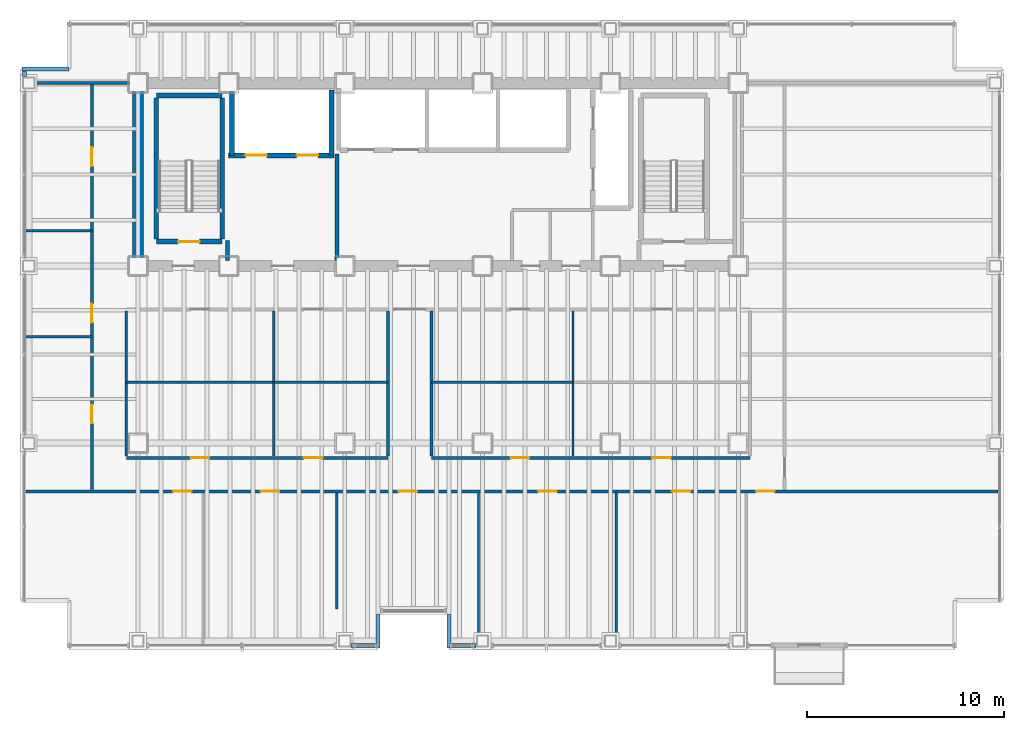
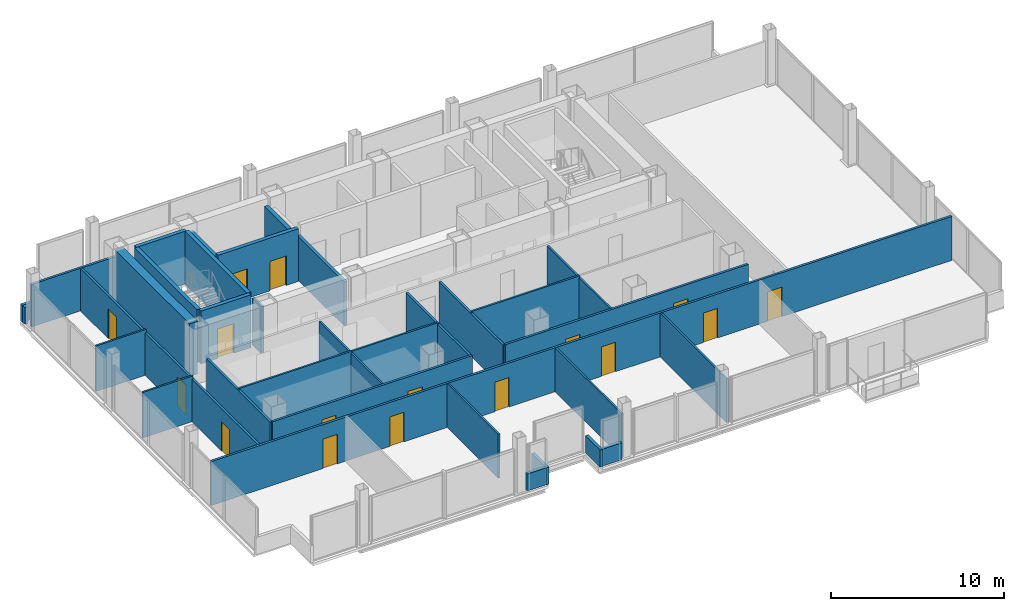
# One storey, part 18 of 22: 34 walls, 16 doors, 16 openings.
"""IFC4 building model written with IfcOpenShell, lengths in metres."""

from ifc_helpers import new_model, si_unit, direction, frame, frame_2d, origin, place, context, subcontext, project, spatial, rectangle, extrude, material, layer, layer_set, type_object, element, fill, save


model = new_model("IFC4")

# Units and contexts
model_context = context("Model", 3, precision=1e-05, world=origin(), true_north=direction((0.0, 1.0)))
body_context = subcontext(model_context, "Body", "Model", "MODEL_VIEW")
ifc_project = project(units=[si_unit("LENGTHUNIT", "METRE"), si_unit("AREAUNIT", "SQUARE_METRE"), si_unit("VOLUMEUNIT", "CUBIC_METRE"), si_unit("PLANEANGLEUNIT", "RADIAN"), si_unit("MASSUNIT", "GRAM", prefix="KILO")], contexts=[model_context])

# Site, building, storey
site_placement = place(None, origin())
site = spatial("IfcSite", under=ifc_project, at=site_placement, CompositionType="ELEMENT")
building_placement = place(site_placement, origin())
building = spatial("IfcBuilding", under=site, at=building_placement, Name="Noeulbin Bourse Tower", CompositionType="ELEMENT")
storey_placement = place(building_placement, frame((0.0, 0.0, 85.0)))
storey = spatial("IfcBuildingStorey", under=building, at=storey_placement, Name="L21", CompositionType="ELEMENT", Elevation=85.0)

# Walls
ifc_material_1 = material(Name="Concrete C60/75", Category="concrete")
ifc_layer_1 = layer(ifc_material_1, 0.550048828125)
ifc_layer_set_1 = layer_set([ifc_layer_1], Name="Concrete C60/75")
wall_type_1 = type_object("IfcWallType", Name="WAL-CORE-550", PredefinedType="SHEAR", material=ifc_layer_set_1)
wall_1_placement = place(storey_placement, frame((13.5, 29.35009765625, 0.0), z_axis=(0.0, 0.0, 1.0), x_axis=(0.0, 1.0, 0.0)))
element("IfcWall", 1, at=wall_1_placement, inside=storey, type_object=wall_type_1, Name="Rear Core West Shear Wall L21", PredefinedType="SHEAR", context=body_context, shape_type="SweptSolid", body=[
    extrude(rectangle(XDim=8.599853515625, YDim=0.550048828125, at=frame_2d((4.2998046875, 0.0))), origin(), (0.0, 0.0, 1.0), 3.719970703125),
])
ifc_material_2 = material(Name="Concrete C40/50", Category="concrete")
ifc_layer_2 = layer(ifc_material_2, 0.199951171875)
ifc_layer_set_2 = layer_set([ifc_layer_2], Name="Concrete C40/50")
wall_type_2 = type_object("IfcWallType", Name="WAL-FIRE-200", PredefinedType="STANDARD", material=ifc_layer_set_2)
wall_2_placement = place(storey_placement, frame((18.050048828125, 29.284912109375, 0.0), z_axis=(0.0, 0.0, 1.0), x_axis=(0.0, 1.0, 0.0)))
element("IfcWall", 2, at=wall_2_placement, inside=storey, type_object=wall_type_2, Name="Interior Partition Wall L21-15", PredefinedType="STANDARD", context=body_context, shape_type="SweptSolid", body=[
    extrude(rectangle(XDim=1.01513671875, YDim=0.199951171875, at=frame_2d((0.507568359375, 0.0))), origin(), (0.0, 0.0, 1.0), 3.300048828125),
])
wall_3_placement = place(storey_placement, frame((23.60009765625, 29.284912109375, 0.0), z_axis=(0.0, 0.0, 1.0), x_axis=(0.0, 1.0, 0.0)))
element("IfcWall", 3, at=wall_3_placement, inside=storey, type_object=wall_type_2, Name="Interior Partition Wall L21-17", PredefinedType="STANDARD", context=body_context, shape_type="SweptSolid", body=[
    extrude(rectangle(XDim=5.4150390625, YDim=0.199951171875, at=frame_2d((2.70751953125, 0.0))), origin(), (0.0, 0.0, 1.0), 3.10009765625),
])
ifc_layer_3 = layer(ifc_material_2, 0.199951171875)
ifc_layer_set_3 = layer_set([ifc_layer_3], Name="Concrete C40/50")
wall_type_3 = type_object("IfcWallType", Name="WAL-PAR-200", PredefinedType="PARAPET", material=ifc_layer_set_3)
wall_4_placement = place(storey_placement, frame((7.719970703125, 38.6201171875, 0.0), z_axis=(0.0, 0.0, 1.0), x_axis=(0.0, 1.0, 0.0)))
element("IfcWall", 4, at=wall_4_placement, inside=storey, type_object=wall_type_3, Name="Perimeter Pier Spandrel Parapet L21-W1", PredefinedType="PARAPET", context=body_context, shape_type="SweptSolid", body=[
    extrude(rectangle(XDim=0.27978515625, YDim=0.199951171875, at=frame_2d((0.139892578125, 0.0))), origin(), (0.0, 0.0, 1.0), 1.199951171875),
])
for number, where, z_axis, x_axis, name in (
    (5, (24.320068359375, 9.719970703125, 0.0), (0.0, 0.0, 1.0), (1.0, 0.0, 0.0), "Perimeter Pier Spandrel Parapet L21-S3"),
    (6, (29.35009765625, 9.719970703125, 0.0), (0.0, 0.0, 1.0), (1.0, 0.0, 0.0), "Perimeter Pier Spandrel Parapet L21-S4"),
):
    element("IfcWall", number, at=place(storey_placement, frame(where, z_axis=z_axis, x_axis=x_axis)), inside=storey, type_object=wall_type_3, Name=name, PredefinedType="PARAPET", context=body_context, shape_type="SweptSolid", body=[
        extrude(rectangle(XDim=1.329833984375, YDim=0.199951171875, at=frame_2d((0.6650390625, 0.0))), origin(), (0.0, 0.0, 1.0), 1.199951171875),
    ])
wall_5_placement = place(storey_placement, frame((7.60009765625, 39.0, 0.0), z_axis=(0.0, 0.0, 1.0), x_axis=(1.0, 0.0, 0.0)))
element("IfcWall", 7, at=wall_5_placement, inside=storey, type_object=wall_type_3, Name="Corner Notch Parapet L21-NW1", PredefinedType="PARAPET", context=body_context, shape_type="SweptSolid", body=[
    extrude(rectangle(XDim=2.39990234375, YDim=0.199951171875, at=frame_2d((1.199951171875, 0.0))), origin(), (0.0, 0.0, 1.0), 1.199951171875),
])
for number, where, z_axis, x_axis, name in (
    (8, (25.699951171875, 9.60009765625, 0.0), (0.0, 0.0, 1.0), (0.0, 1.0, 0.0), "Sky-Garden Recess Parapet L21-W"),
    (9, (29.300048828125, 11.300048828125, 0.0), (0.0, 0.0, 1.0), (0.0, -1.0, 0.0), "Sky-Garden Recess Parapet L21-E"),
):
    element("IfcWall", number, at=place(storey_placement, frame(where, z_axis=z_axis, x_axis=x_axis)), inside=storey, type_object=wall_type_3, Name=name, PredefinedType="PARAPET", context=body_context, shape_type="SweptSolid", body=[
        extrude(rectangle(XDim=1.699951171875, YDim=0.199951171875, at=frame_2d((0.85009765625, 0.0))), origin(), (0.0, 0.0, 1.0), 1.199951171875),
    ])
ifc_material_3 = material(Name="Steel Stud Gypsum Partition", Category="steel")
ifc_layer_4 = layer(ifc_material_3, 0.1201171875)
ifc_layer_set_4 = layer_set([ifc_layer_4], Name="Steel Stud Gypsum Partition")
wall_type_4 = type_object("IfcWallType", Name="WAL-PRT-120", PredefinedType="PARTITIONING", material=ifc_layer_set_4)
wall_6_placement = place(storey_placement, frame((12.89990234375, 23.10009765625, 0.0), z_axis=(0.0, 0.0, 1.0), x_axis=(1.0, 0.0, 0.0)))
element("IfcWall", 10, at=wall_6_placement, inside=storey, type_object=wall_type_4, Name="Interior Partition Wall L21-09", PredefinedType="PARTITIONING", context=body_context, shape_type="SweptSolid", body=[
    extrude(rectangle(XDim=7.5, YDim=0.1201171875, at=frame_2d((3.75, 0.0))), origin(), (0.0, 0.0, 1.0), 3.10009765625),
])
wall_7_placement = place(storey_placement, frame((20.39990234375, 23.10009765625, 0.0), z_axis=(0.0, 0.0, 1.0), x_axis=(1.0, 0.0, 0.0)))
element("IfcWall", 11, at=wall_7_placement, inside=storey, type_object=wall_type_4, Name="Interior Partition Wall L21-10", PredefinedType="PARTITIONING", context=body_context, shape_type="SweptSolid", body=[
    extrude(rectangle(XDim=5.800048828125, YDim=0.1201171875, at=frame_2d((2.89990234375, 0.0))), origin(), (0.0, 0.0, 1.0), 3.10009765625),
])
wall_8_placement = place(storey_placement, frame((28.39990234375, 23.10009765625, 0.0), z_axis=(0.0, 0.0, 1.0), x_axis=(1.0, 0.0, 0.0)))
element("IfcWall", 12, at=wall_8_placement, inside=storey, type_object=wall_type_4, Name="Interior Partition Wall L21-11", PredefinedType="PARTITIONING", context=body_context, shape_type="SweptSolid", body=[
    extrude(rectangle(XDim=7.2001953125, YDim=0.1201171875, at=frame_2d((3.60009765625, 0.0))), origin(), (0.0, 0.0, 1.0), 3.10009765625),
])
for number, where, z_axis, x_axis, name in (
    (13, (7.81005859375, 25.39990234375, 0.0), (0.0, 0.0, 1.0), (1.0, 0.0, 0.0), "Interior Partition Wall L21-13"),
    (14, (7.81005859375, 30.800048828125, 0.0), (0.0, 0.0, 1.0), (1.0, 0.0, 0.0), "Interior Partition Wall L21-14"),
):
    element("IfcWall", number, at=place(storey_placement, frame(where, z_axis=z_axis, x_axis=x_axis)), inside=storey, type_object=wall_type_4, Name=name, PredefinedType="PARTITIONING", context=body_context, shape_type="SweptSolid", body=[
        extrude(rectangle(XDim=3.33984375, YDim=0.1201171875, at=frame_2d((1.669921875, 0.0))), origin(), (0.0, 0.0, 1.0), 3.2119140625),
    ])
wall_9_placement = place(storey_placement, frame((23.60009765625, 11.570068359375, 0.0), z_axis=(0.0, 0.0, 1.0), x_axis=(0.0, 1.0, 0.0)))
element("IfcWall", 15, at=wall_9_placement, inside=storey, type_object=wall_type_4, Name="Interior Partition Wall L21-28", PredefinedType="PARTITIONING", context=body_context, shape_type="SweptSolid", body=[
    extrude(rectangle(XDim=5.89501953125, YDim=0.1201171875, at=frame_2d((2.947509765625, 0.0))), origin(), (0.0, 0.0, 1.0), 3.10009765625),
])
for number, where, z_axis, x_axis, name in (
    (16, (30.800048828125, 9.81005859375, 0.0), (0.0, 0.0, 1.0), (0.0, 1.0, 0.0), "Interior Partition Wall L21-29"),
    (17, (37.800048828125, 9.81005859375, 0.0), (0.0, 0.0, 1.0), (0.0, 1.0, 0.0), "Interior Partition Wall L21-30"),
):
    element("IfcWall", number, at=place(storey_placement, frame(where, z_axis=z_axis, x_axis=x_axis)), inside=storey, type_object=wall_type_4, Name=name, PredefinedType="PARTITIONING", context=body_context, shape_type="SweptSolid", body=[
        extrude(rectangle(XDim=7.655029296875, YDim=0.1201171875, at=frame_2d((3.82763671875, 0.0))), origin(), (0.0, 0.0, 1.0), 3.10009765625),
    ])
for number, where, z_axis, x_axis, name in (
    (18, (20.39990234375, 19.3349609375, 0.0), (0.0, 0.0, 1.0), (0.0, 1.0, 0.0), "Interior Partition Wall L21-32"),
    (19, (35.60009765625, 19.3349609375, 0.0), (0.0, 0.0, 1.0), (0.0, 1.0, 0.0), "Interior Partition Wall L21-33"),
):
    element("IfcWall", number, at=place(storey_placement, frame(where, z_axis=z_axis, x_axis=x_axis)), inside=storey, type_object=wall_type_4, Name=name, PredefinedType="PARTITIONING", context=body_context, shape_type="SweptSolid", body=[
        extrude(rectangle(XDim=7.380126953125, YDim=0.1201171875, at=frame_2d((3.68994140625, 0.0))), origin(), (0.0, 0.0, 1.0), 3.0),
    ])

# Wall, openings, doors
ifc_material_4 = material(Name="Steel Stud Acoustic Gypsum Board", Category="steel")
ifc_layer_5 = layer(ifc_material_4, 0.14990234375)
ifc_layer_set_5 = layer_set([ifc_layer_5], Name="Steel Stud Acoustic Gypsum Board")
wall_type_5 = type_object("IfcWallType", Name="WAL-PRT-150", PredefinedType="PARTITIONING", material=ifc_layer_set_5)
wall_10_placement = place(storey_placement, frame((7.81005859375, 17.550048828125, 0.0), z_axis=(0.0, 0.0, 1.0), x_axis=(1.0, 0.0, 0.0)))
wall_10 = element("IfcWall", 20, at=wall_10_placement, inside=storey, type_object=wall_type_5, Name="Interior Partition Wall L21-04", PredefinedType="PARTITIONING", context=body_context, shape_type="SweptSolid", body=[
    extrude(rectangle(XDim=49.3798828125, YDim=0.14990234375, at=frame_2d((24.68994140625, 0.0))), origin(), (0.0, 0.0, 1.0), 3.10009765625),
])
opening_1_placement = place(wall_10_placement, frame((7.465087890625, 0.0, 0.0)))
opening_1 = element("IfcOpeningElement", 21, at=opening_1_placement, cuts=wall_10, Name="Opening ID-09", PredefinedType="OPENING", context=body_context, shape_type="SweptSolid", body=[
    extrude(rectangle(XDim=0.949951171875, YDim=2.080078125, at=frame_2d((0.47509765625, 1.0400390625))), frame((0.0, 0.0849609375, 0.0), z_axis=(0.0, -1.0, 0.0), x_axis=(1.0, 0.0, 0.0)), (0.0, 0.0, 1.0), 0.169921875),
])
opening_2_placement = place(wall_10_placement, frame((11.9150390625, 0.0, 0.0)))
opening_2 = element("IfcOpeningElement", 22, at=opening_2_placement, cuts=wall_10, Name="Opening ID-09", PredefinedType="OPENING", context=body_context, shape_type="SweptSolid", body=[
    extrude(rectangle(XDim=0.949951171875, YDim=2.080078125, at=frame_2d((0.47509765625, 1.0400390625))), frame((0.0, 0.0849609375, 0.0), z_axis=(0.0, -1.0, 0.0), x_axis=(1.0, 0.0, 0.0)), (0.0, 0.0, 1.0), 0.169921875),
])
opening_3_placement = place(wall_10_placement, frame((18.9150390625, 0.0, 0.0)))
opening_3 = element("IfcOpeningElement", 23, at=opening_3_placement, cuts=wall_10, Name="Opening ID-09", PredefinedType="OPENING", context=body_context, shape_type="SweptSolid", body=[
    extrude(rectangle(XDim=0.949951171875, YDim=2.080078125, at=frame_2d((0.47509765625, 1.0400390625))), frame((0.0, 0.0849609375, 0.0), z_axis=(0.0, -1.0, 0.0), x_axis=(1.0, 0.0, 0.0)), (0.0, 0.0, 1.0), 0.169921875),
])
opening_4_placement = place(wall_10_placement, frame((26.014892578125, 0.0, 0.0)))
opening_4 = element("IfcOpeningElement", 24, at=opening_4_placement, cuts=wall_10, Name="Opening ID-09", PredefinedType="OPENING", context=body_context, shape_type="SweptSolid", body=[
    extrude(rectangle(XDim=0.949951171875, YDim=2.080078125, at=frame_2d((0.47509765625, 1.0400390625))), frame((0.0, 0.0849609375, 0.0), z_axis=(0.0, -1.0, 0.0), x_axis=(1.0, 0.0, 0.0)), (0.0, 0.0, 1.0), 0.169921875),
])
opening_5_placement = place(wall_10_placement, frame((32.81494140625, 0.0, 0.0)))
opening_5 = element("IfcOpeningElement", 25, at=opening_5_placement, cuts=wall_10, Name="Opening ID-09", PredefinedType="OPENING", context=body_context, shape_type="SweptSolid", body=[
    extrude(rectangle(XDim=0.949951171875, YDim=2.080078125, at=frame_2d((0.47509765625, 1.0400390625))), frame((0.0, 0.0849609375, 0.0), z_axis=(0.0, -1.0, 0.0), x_axis=(1.0, 0.0, 0.0)), (0.0, 0.0, 1.0), 0.169921875),
])
opening_6_placement = place(wall_10_placement, frame((37.090087890625, 0.0, 0.0)))
opening_6 = element("IfcOpeningElement", 26, at=opening_6_placement, cuts=wall_10, Name="Opening ID-09", PredefinedType="OPENING", context=body_context, shape_type="SweptSolid", body=[
    extrude(rectangle(XDim=0.949951171875, YDim=2.080078125, at=frame_2d((0.47509765625, 1.0400390625))), frame((0.0, 0.0849609375, 0.0), z_axis=(0.0, -1.0, 0.0), x_axis=(1.0, 0.0, 0.0)), (0.0, 0.0, 1.0), 0.169921875),
])
ifc_material_5 = material(Name="Acoustic Solid-Core Timber", Category="wood")
door_type_1 = type_object("IfcDoorType", Name="DR-SINGLE-950", OperationType="SINGLE_SWING_LEFT", PredefinedType="DOOR", material=ifc_material_5)
door_1_placement = place(opening_1_placement, origin())
door_1 = element("IfcDoor", 27, at=door_1_placement, inside=storey, type_object=door_type_1, Name="Interior Door L21-08", OperationType="SINGLE_SWING_LEFT", OverallHeight=2.080078125, OverallWidth=0.949951171875, PredefinedType="DOOR", context=body_context, shape_type="SweptSolid", body=[
    extrude(rectangle(XDim=0.949951171875, YDim=2.080078125, at=frame_2d((0.47509765625, 1.0400390625))), frame((0.0, 0.02490234375, 0.0), z_axis=(0.0, -1.0, 0.0), x_axis=(1.0, 0.0, 0.0)), (0.0, 0.0, 1.0), 0.050048828125),
])
fill(opening_1, door_1)
door_2_placement = place(opening_2_placement, origin())
door_2 = element("IfcDoor", 28, at=door_2_placement, inside=storey, type_object=door_type_1, Name="Interior Door L21-09", OperationType="SINGLE_SWING_RIGHT", OverallHeight=2.080078125, OverallWidth=0.949951171875, PredefinedType="DOOR", context=body_context, shape_type="SweptSolid", body=[
    extrude(rectangle(XDim=0.949951171875, YDim=2.080078125, at=frame_2d((0.47509765625, 1.0400390625))), frame((0.0, 0.02490234375, 0.0), z_axis=(0.0, -1.0, 0.0), x_axis=(1.0, 0.0, 0.0)), (0.0, 0.0, 1.0), 0.050048828125),
])
fill(opening_2, door_2)
door_3_placement = place(opening_3_placement, origin())
door_3 = element("IfcDoor", 29, at=door_3_placement, inside=storey, type_object=door_type_1, Name="Interior Door L21-10", OperationType="SINGLE_SWING_LEFT", OverallHeight=2.080078125, OverallWidth=0.949951171875, PredefinedType="DOOR", context=body_context, shape_type="SweptSolid", body=[
    extrude(rectangle(XDim=0.949951171875, YDim=2.080078125, at=frame_2d((0.47509765625, 1.0400390625))), frame((0.0, 0.02490234375, 0.0), z_axis=(0.0, -1.0, 0.0), x_axis=(1.0, 0.0, 0.0)), (0.0, 0.0, 1.0), 0.050048828125),
])
fill(opening_3, door_3)
door_4_placement = place(opening_4_placement, origin())
door_4 = element("IfcDoor", 30, at=door_4_placement, inside=storey, type_object=door_type_1, Name="Interior Door L21-11", OperationType="SINGLE_SWING_RIGHT", OverallHeight=2.080078125, OverallWidth=0.949951171875, PredefinedType="DOOR", context=body_context, shape_type="SweptSolid", body=[
    extrude(rectangle(XDim=0.949951171875, YDim=2.080078125, at=frame_2d((0.47509765625, 1.0400390625))), frame((0.0, 0.02490234375, 0.0), z_axis=(0.0, -1.0, 0.0), x_axis=(1.0, 0.0, 0.0)), (0.0, 0.0, 1.0), 0.050048828125),
])
fill(opening_4, door_4)
door_5_placement = place(opening_5_placement, origin())
door_5 = element("IfcDoor", 31, at=door_5_placement, inside=storey, type_object=door_type_1, Name="Interior Door L21-12", OperationType="SINGLE_SWING_LEFT", OverallHeight=2.080078125, OverallWidth=0.949951171875, PredefinedType="DOOR", context=body_context, shape_type="SweptSolid", body=[
    extrude(rectangle(XDim=0.949951171875, YDim=2.080078125, at=frame_2d((0.47509765625, 1.0400390625))), frame((0.0, 0.02490234375, 0.0), z_axis=(0.0, -1.0, 0.0), x_axis=(1.0, 0.0, 0.0)), (0.0, 0.0, 1.0), 0.050048828125),
])
fill(opening_5, door_5)
door_6_placement = place(opening_6_placement, origin())
door_6 = element("IfcDoor", 32, at=door_6_placement, inside=storey, type_object=door_type_1, Name="Interior Door L21-13", OperationType="SINGLE_SWING_RIGHT", OverallHeight=2.080078125, OverallWidth=0.949951171875, PredefinedType="DOOR", context=body_context, shape_type="SweptSolid", body=[
    extrude(rectangle(XDim=0.949951171875, YDim=2.080078125, at=frame_2d((0.47509765625, 1.0400390625))), frame((0.0, 0.02490234375, 0.0), z_axis=(0.0, -1.0, 0.0), x_axis=(1.0, 0.0, 0.0)), (0.0, 0.0, 1.0), 0.050048828125),
])
fill(opening_6, door_6)

wall_11_placement = place(storey_placement, frame((12.89990234375, 19.25, 0.0), z_axis=(0.0, 0.0, 1.0), x_axis=(1.0, 0.0, 0.0)))
wall_11 = element("IfcWall", 33, at=wall_11_placement, inside=storey, type_object=wall_type_5, Name="Interior Partition Wall L21-05", PredefinedType="PARTITIONING", context=body_context, shape_type="SweptSolid", body=[
    extrude(rectangle(XDim=13.300048828125, YDim=0.14990234375, at=frame_2d((6.64990234375, 0.0))), origin(), (0.0, 0.0, 1.0), 3.10009765625),
])
opening_7_placement = place(wall_11_placement, frame((3.27490234375, 0.0, 0.0)))
opening_7 = element("IfcOpeningElement", 34, at=opening_7_placement, cuts=wall_11, Name="Opening ID-09", PredefinedType="OPENING", context=body_context, shape_type="SweptSolid", body=[
    extrude(rectangle(XDim=0.949951171875, YDim=2.080078125, at=frame_2d((0.47509765625, 1.0400390625))), frame((0.0, 0.0849609375, 0.0), z_axis=(0.0, -1.0, 0.0), x_axis=(1.0, 0.0, 0.0)), (0.0, 0.0, 1.0), 0.169921875),
])
opening_8_placement = place(wall_11_placement, frame((9.02490234375, 0.0, 0.0)))
opening_8 = element("IfcOpeningElement", 35, at=opening_8_placement, cuts=wall_11, Name="Opening ID-09", PredefinedType="OPENING", context=body_context, shape_type="SweptSolid", body=[
    extrude(rectangle(XDim=0.949951171875, YDim=2.080078125, at=frame_2d((0.47509765625, 1.0400390625))), frame((0.0, 0.0849609375, 0.0), z_axis=(0.0, -1.0, 0.0), x_axis=(1.0, 0.0, 0.0)), (0.0, 0.0, 1.0), 0.169921875),
])
door_7_placement = place(opening_7_placement, origin())
door_7 = element("IfcDoor", 36, at=door_7_placement, inside=storey, type_object=door_type_1, Name="Interior Door L21-15", OperationType="SINGLE_SWING_RIGHT", OverallHeight=2.080078125, OverallWidth=0.949951171875, PredefinedType="DOOR", context=body_context, shape_type="SweptSolid", body=[
    extrude(rectangle(XDim=0.949951171875, YDim=2.080078125, at=frame_2d((0.47509765625, 1.0400390625))), frame((0.0, 0.02490234375, 0.0), z_axis=(0.0, -1.0, 0.0), x_axis=(1.0, 0.0, 0.0)), (0.0, 0.0, 1.0), 0.050048828125),
])
fill(opening_7, door_7)
door_8_placement = place(opening_8_placement, origin())
door_8 = element("IfcDoor", 37, at=door_8_placement, inside=storey, type_object=door_type_1, Name="Interior Door L21-17", OperationType="SINGLE_SWING_RIGHT", OverallHeight=2.080078125, OverallWidth=0.949951171875, PredefinedType="DOOR", context=body_context, shape_type="SweptSolid", body=[
    extrude(rectangle(XDim=0.949951171875, YDim=2.080078125, at=frame_2d((0.47509765625, 1.0400390625))), frame((0.0, 0.02490234375, 0.0), z_axis=(0.0, -1.0, 0.0), x_axis=(1.0, 0.0, 0.0)), (0.0, 0.0, 1.0), 0.050048828125),
])
fill(opening_8, door_8)

wall_12_placement = place(storey_placement, frame((28.39990234375, 19.25, 0.0), z_axis=(0.0, 0.0, 1.0), x_axis=(1.0, 0.0, 0.0)))
wall_12 = element("IfcWall", 38, at=wall_12_placement, inside=storey, type_object=wall_type_5, Name="Interior Partition Wall L21-06", PredefinedType="PARTITIONING", context=body_context, shape_type="SweptSolid", body=[
    extrude(rectangle(XDim=16.2001953125, YDim=0.14990234375, at=frame_2d((8.10009765625, 0.0))), origin(), (0.0, 0.0, 1.0), 3.10009765625),
])
opening_9_placement = place(wall_12_placement, frame((4.02490234375, 0.0, 0.0)))
opening_9 = element("IfcOpeningElement", 39, at=opening_9_placement, cuts=wall_12, Name="Opening ID-09", PredefinedType="OPENING", context=body_context, shape_type="SweptSolid", body=[
    extrude(rectangle(XDim=0.949951171875, YDim=2.080078125, at=frame_2d((0.47509765625, 1.0400390625))), frame((0.0, 0.0849609375, 0.0), z_axis=(0.0, -1.0, 0.0), x_axis=(1.0, 0.0, 0.0)), (0.0, 0.0, 1.0), 0.169921875),
])
opening_10_placement = place(wall_12_placement, frame((11.22509765625, 0.0, 0.0)))
opening_10 = element("IfcOpeningElement", 40, at=opening_10_placement, cuts=wall_12, Name="Opening ID-09", PredefinedType="OPENING", context=body_context, shape_type="SweptSolid", body=[
    extrude(rectangle(XDim=0.949951171875, YDim=2.080078125, at=frame_2d((0.47509765625, 1.0400390625))), frame((0.0, 0.0849609375, 0.0), z_axis=(0.0, -1.0, 0.0), x_axis=(1.0, 0.0, 0.0)), (0.0, 0.0, 1.0), 0.169921875),
])
door_9_placement = place(opening_9_placement, origin())
door_9 = element("IfcDoor", 41, at=door_9_placement, inside=storey, type_object=door_type_1, Name="Interior Door L21-19", OperationType="SINGLE_SWING_RIGHT", OverallHeight=2.080078125, OverallWidth=0.949951171875, PredefinedType="DOOR", context=body_context, shape_type="SweptSolid", body=[
    extrude(rectangle(XDim=0.949951171875, YDim=2.080078125, at=frame_2d((0.47509765625, 1.0400390625))), frame((0.0, 0.02490234375, 0.0), z_axis=(0.0, -1.0, 0.0), x_axis=(1.0, 0.0, 0.0)), (0.0, 0.0, 1.0), 0.050048828125),
])
fill(opening_9, door_9)
door_10_placement = place(opening_10_placement, origin())
door_10 = element("IfcDoor", 42, at=door_10_placement, inside=storey, type_object=door_type_1, Name="Interior Door L21-21", OperationType="SINGLE_SWING_RIGHT", OverallHeight=2.080078125, OverallWidth=0.949951171875, PredefinedType="DOOR", context=body_context, shape_type="SweptSolid", body=[
    extrude(rectangle(XDim=0.949951171875, YDim=2.080078125, at=frame_2d((0.47509765625, 1.0400390625))), frame((0.0, 0.02490234375, 0.0), z_axis=(0.0, -1.0, 0.0), x_axis=(1.0, 0.0, 0.0)), (0.0, 0.0, 1.0), 0.050048828125),
])
fill(opening_10, door_10)

# Walls
wall_13_placement = place(storey_placement, frame((7.81005859375, 38.300048828125, 0.0), z_axis=(0.0, 0.0, 1.0), x_axis=(1.0, 0.0, 0.0)))
element("IfcWall", 43, at=wall_13_placement, inside=storey, type_object=wall_type_5, Name="Interior Partition Wall L21-07", PredefinedType="PARTITIONING", context=body_context, shape_type="SweptSolid", body=[
    extrude(rectangle(XDim=5.68994140625, YDim=0.14990234375, at=frame_2d((2.844970703125, 0.0))), origin(), (0.0, 0.0, 1.0), 3.0),
])
for number, where, z_axis, x_axis, name in (
    (44, (26.199951171875, 19.3349609375, 0.0), (0.0, 0.0, 1.0), (0.0, 1.0, 0.0), "Interior Partition Wall L21-21"),
    (45, (28.39990234375, 19.3349609375, 0.0), (0.0, 0.0, 1.0), (0.0, 1.0, 0.0), "Interior Partition Wall L21-22"),
):
    element("IfcWall", number, at=place(storey_placement, frame(where, z_axis=z_axis, x_axis=x_axis)), inside=storey, type_object=wall_type_5, Name=name, PredefinedType="PARTITIONING", context=body_context, shape_type="SweptSolid", body=[
        extrude(rectangle(XDim=7.380126953125, YDim=0.14990234375, at=frame_2d((3.68994140625, 0.0))), origin(), (0.0, 0.0, 1.0), 3.0),
    ])

# Wall, openings, doors
wall_14_placement = place(storey_placement, frame((11.14990234375, 17.635009765625, 0.0), z_axis=(0.0, 0.0, 1.0), x_axis=(0.0, 1.0, 0.0)))
wall_14 = element("IfcWall", 46, at=wall_14_placement, inside=storey, type_object=wall_type_5, Name="Interior Partition Wall L21-23", PredefinedType="PARTITIONING", context=body_context, shape_type="SweptSolid", body=[
    extrude(rectangle(XDim=20.580078125, YDim=0.14990234375, at=frame_2d((10.2900390625, 0.0))), origin(), (0.0, 0.0, 1.0), 3.0),
])
opening_11_placement = place(wall_14_placement, frame((3.364990234375, 0.0, 0.0)))
opening_11 = element("IfcOpeningElement", 47, at=opening_11_placement, cuts=wall_14, Name="Opening ID-09", PredefinedType="OPENING", context=body_context, shape_type="SweptSolid", body=[
    extrude(rectangle(XDim=0.949951171875, YDim=2.080078125, at=frame_2d((0.47509765625, 1.0400390625))), frame((0.0, 0.0849609375, 0.0), z_axis=(0.0, -1.0, 0.0), x_axis=(1.0, 0.0, 0.0)), (0.0, 0.0, 1.0), 0.169921875),
])
opening_12_placement = place(wall_14_placement, frame((8.489990234375, 0.0, 0.0)))
opening_12 = element("IfcOpeningElement", 48, at=opening_12_placement, cuts=wall_14, Name="Opening ID-09", PredefinedType="OPENING", context=body_context, shape_type="SweptSolid", body=[
    extrude(rectangle(XDim=0.949951171875, YDim=2.080078125, at=frame_2d((0.47509765625, 1.0400390625))), frame((0.0, 0.0849609375, 0.0), z_axis=(0.0, -1.0, 0.0), x_axis=(1.0, 0.0, 0.0)), (0.0, 0.0, 1.0), 0.169921875),
])
opening_13_placement = place(wall_14_placement, frame((16.43994140625, 0.0, 0.0)))
opening_13 = element("IfcOpeningElement", 49, at=opening_13_placement, cuts=wall_14, Name="Opening ID-09", PredefinedType="OPENING", context=body_context, shape_type="SweptSolid", body=[
    extrude(rectangle(XDim=0.949951171875, YDim=2.080078125, at=frame_2d((0.47509765625, 1.0400390625))), frame((0.0, 0.0849609375, 0.0), z_axis=(0.0, -1.0, 0.0), x_axis=(1.0, 0.0, 0.0)), (0.0, 0.0, 1.0), 0.169921875),
])
door_11_placement = place(opening_11_placement, origin())
door_11 = element("IfcDoor", 50, at=door_11_placement, inside=storey, type_object=door_type_1, Name="Interior Door L21-22", OperationType="SINGLE_SWING_LEFT", OverallHeight=2.080078125, OverallWidth=0.949951171875, PredefinedType="DOOR", context=body_context, shape_type="SweptSolid", body=[
    extrude(rectangle(XDim=0.949951171875, YDim=2.080078125, at=frame_2d((0.47509765625, 1.0400390625))), frame((0.0, 0.02490234375, 0.0), z_axis=(0.0, -1.0, 0.0), x_axis=(1.0, 0.0, 0.0)), (0.0, 0.0, 1.0), 0.050048828125),
])
fill(opening_11, door_11)
door_12_placement = place(opening_12_placement, origin())
door_12 = element("IfcDoor", 51, at=door_12_placement, inside=storey, type_object=door_type_1, Name="Interior Door L21-23", OperationType="SINGLE_SWING_RIGHT", OverallHeight=2.080078125, OverallWidth=0.949951171875, PredefinedType="DOOR", context=body_context, shape_type="SweptSolid", body=[
    extrude(rectangle(XDim=0.949951171875, YDim=2.080078125, at=frame_2d((0.47509765625, 1.0400390625))), frame((0.0, 0.02490234375, 0.0), z_axis=(0.0, -1.0, 0.0), x_axis=(1.0, 0.0, 0.0)), (0.0, 0.0, 1.0), 0.050048828125),
])
fill(opening_12, door_12)
door_13_placement = place(opening_13_placement, origin())
door_13 = element("IfcDoor", 52, at=door_13_placement, inside=storey, type_object=door_type_1, Name="Interior Door L21-24", OperationType="SINGLE_SWING_LEFT", OverallHeight=2.080078125, OverallWidth=0.949951171875, PredefinedType="DOOR", context=body_context, shape_type="SweptSolid", body=[
    extrude(rectangle(XDim=0.949951171875, YDim=2.080078125, at=frame_2d((0.47509765625, 1.0400390625))), frame((0.0, 0.02490234375, 0.0), z_axis=(0.0, -1.0, 0.0), x_axis=(1.0, 0.0, 0.0)), (0.0, 0.0, 1.0), 0.050048828125),
])
fill(opening_13, door_13)

# Wall
wall_15_placement = place(storey_placement, frame((12.89990234375, 19.3349609375, 0.0), z_axis=(0.0, 0.0, 1.0), x_axis=(0.0, 1.0, 0.0)))
element("IfcWall", 53, at=wall_15_placement, inside=storey, type_object=wall_type_5, Name="Interior Partition Wall L21-24", PredefinedType="PARTITIONING", context=body_context, shape_type="SweptSolid", body=[
    extrude(rectangle(XDim=7.380126953125, YDim=0.14990234375, at=frame_2d((3.68994140625, 0.0))), origin(), (0.0, 0.0, 1.0), 3.0),
])

# Wall, opening, door
ifc_layer_6 = layer(ifc_material_2, 0.25)
ifc_layer_set_6 = layer_set([ifc_layer_6], Name="Concrete C40/50")
wall_type_6 = type_object("IfcWallType", Name="WAL-SHFT-250", PredefinedType="STANDARD", material=ifc_layer_set_6)
wall_16_placement = place(storey_placement, frame((14.429931640625, 30.235107421875, 0.0), z_axis=(0.0, 0.0, 1.0), x_axis=(1.0, 0.0, 0.0)))
wall_16 = element("IfcWall", 54, at=wall_16_placement, inside=storey, type_object=wall_type_6, Name="Stair ST-1 South Shaft Wall L21", PredefinedType="STANDARD", context=body_context, shape_type="SweptSolid", body=[
    extrude(rectangle(XDim=3.340087890625, YDim=0.25, at=frame_2d((1.669921875, 0.0))), origin(), (0.0, 0.0, 1.0), 3.719970703125),
])
opening_14_placement = place(wall_16_placement, frame((1.10009765625, 0.0, 0.0)))
opening_14 = element("IfcOpeningElement", 55, at=opening_14_placement, cuts=wall_16, Name="Opening FD-11", PredefinedType="OPENING", context=body_context, shape_type="SweptSolid", body=[
    extrude(rectangle(XDim=1.10009765625, YDim=2.080078125, at=frame_2d((0.550048828125, 1.0400390625))), frame((0.0, 0.135009765625, 0.0), z_axis=(0.0, -1.0, 0.0), x_axis=(1.0, 0.0, 0.0)), (0.0, 0.0, 1.0), 0.27001953125),
])
ifc_material_6 = material(Name="Fire-Rated Insulated Steel", Category="steel")
door_type_2 = type_object("IfcDoorType", Name="DR-FD60-1100", OperationType="SINGLE_SWING_LEFT", PredefinedType="DOOR", material=ifc_material_6)
door_14_placement = place(opening_14_placement, origin())
door_14 = element("IfcDoor", 56, at=door_14_placement, inside=storey, type_object=door_type_2, Name="Protected Stair Entry Door ST1-L21", OperationType="SINGLE_SWING_RIGHT", OverallHeight=2.080078125, OverallWidth=1.10009765625, PredefinedType="DOOR", context=body_context, shape_type="SweptSolid", body=[
    extrude(rectangle(XDim=1.10009765625, YDim=2.080078125, at=frame_2d((0.550048828125, 1.0400390625))), frame((0.0, 0.02490234375, 0.0), z_axis=(0.0, -1.0, 0.0), x_axis=(1.0, 0.0, 0.0)), (0.0, 0.0, 1.0), 0.050048828125),
])
fill(opening_14, door_14)

# Walls
wall_17_placement = place(storey_placement, frame((14.429931640625, 37.6689453125, 0.0), z_axis=(0.0, 0.0, 1.0), x_axis=(1.0, 0.0, 0.0)))
element("IfcWall", 57, at=wall_17_placement, inside=storey, type_object=wall_type_6, Name="Stair ST-1 North Shaft Wall L21", PredefinedType="STANDARD", context=body_context, shape_type="SweptSolid", body=[
    extrude(rectangle(XDim=3.340087890625, YDim=0.25, at=frame_2d((1.669921875, 0.0))), origin(), (0.0, 0.0, 1.0), 3.719970703125),
])
for number, where, z_axis, x_axis, name in (
    (58, (14.425048828125, 30.360107421875, 0.0), (0.0, 0.0, 1.0), (0.0, 1.0, 0.0), "Stair ST-1 West Shaft Wall L21"),
    (59, (17.77490234375, 30.360107421875, 0.0), (0.0, 0.0, 1.0), (0.0, 1.0, 0.0), "Stair ST-1 East Shaft Wall L21"),
):
    element("IfcWall", number, at=place(storey_placement, frame(where, z_axis=z_axis, x_axis=x_axis)), inside=storey, type_object=wall_type_6, Name=name, PredefinedType="STANDARD", context=body_context, shape_type="SweptSolid", body=[
        extrude(rectangle(XDim=7.183837890625, YDim=0.25, at=frame_2d((3.591796875, 0.0))), origin(), (0.0, 0.0, 1.0), 3.719970703125),
    ])

# Wall, openings, doors
wall_18_placement = place(storey_placement, frame((18.10009765625, 34.6201171875, 0.0), z_axis=(0.0, 0.0, 1.0), x_axis=(1.0, 0.0, 0.0)))
wall_18 = element("IfcWall", 60, at=wall_18_placement, inside=storey, type_object=wall_type_6, Name="Firefighting Lift Shaft Front L21", PredefinedType="STANDARD", context=body_context, shape_type="SweptSolid", body=[
    extrude(rectangle(XDim=5.349853515625, YDim=0.25, at=frame_2d((2.6748046875, 0.0))), origin(), (0.0, 0.0, 1.0), 3.719970703125),
])
opening_15_placement = place(wall_18_placement, frame((0.85009765625, 0.0, 0.0)))
opening_15 = element("IfcOpeningElement", 61, at=opening_15_placement, cuts=wall_18, Name="Opening LD-11", PredefinedType="OPENING", context=body_context, shape_type="SweptSolid", body=[
    extrude(rectangle(XDim=1.10009765625, YDim=2.080078125, at=frame_2d((0.550048828125, 1.0400390625))), frame((0.0, 0.135009765625, 0.0), z_axis=(0.0, -1.0, 0.0), x_axis=(1.0, 0.0, 0.0)), (0.0, 0.0, 1.0), 0.27001953125),
])
opening_16_placement = place(wall_18_placement, frame((3.449951171875, 0.0, 0.0)))
opening_16 = element("IfcOpeningElement", 62, at=opening_16_placement, cuts=wall_18, Name="Opening LD-11", PredefinedType="OPENING", context=body_context, shape_type="SweptSolid", body=[
    extrude(rectangle(XDim=1.10009765625, YDim=2.080078125, at=frame_2d((0.550048828125, 1.0400390625))), frame((0.0, 0.135009765625, 0.0), z_axis=(0.0, -1.0, 0.0), x_axis=(1.0, 0.0, 0.0)), (0.0, 0.0, 1.0), 0.27001953125),
])
ifc_material_7 = material(Name="Brushed Stainless Steel 316", Category="steel")
door_type_3 = type_object("IfcDoorType", Name="DR-LIFT-1100", OperationType="SLIDING_TO_LEFT", PredefinedType="DOOR", material=ifc_material_7)
door_15_placement = place(opening_15_placement, origin())
door_15 = element("IfcDoor", 63, at=door_15_placement, inside=storey, type_object=door_type_3, Name="Lift Landing Door LD-FL-01-L21", OperationType="SLIDING_TO_LEFT", OverallHeight=2.080078125, OverallWidth=1.10009765625, PredefinedType="DOOR", context=body_context, shape_type="SweptSolid", body=[
    extrude(rectangle(XDim=1.10009765625, YDim=2.080078125, at=frame_2d((0.550048828125, 1.0400390625))), frame((0.0, 0.02490234375, 0.0), z_axis=(0.0, -1.0, 0.0), x_axis=(1.0, 0.0, 0.0)), (0.0, 0.0, 1.0), 0.050048828125),
])
fill(opening_15, door_15)
door_16_placement = place(opening_16_placement, origin())
door_16 = element("IfcDoor", 64, at=door_16_placement, inside=storey, type_object=door_type_3, Name="Lift Landing Door LD-FL-02-L21", OperationType="SLIDING_TO_LEFT", OverallHeight=2.080078125, OverallWidth=1.10009765625, PredefinedType="DOOR", context=body_context, shape_type="SweptSolid", body=[
    extrude(rectangle(XDim=1.10009765625, YDim=2.080078125, at=frame_2d((0.550048828125, 1.0400390625))), frame((0.0, 0.02490234375, 0.0), z_axis=(0.0, -1.0, 0.0), x_axis=(1.0, 0.0, 0.0)), (0.0, 0.0, 1.0), 0.050048828125),
])
fill(opening_16, door_16)

# Walls
for number, where, z_axis, x_axis, name in (
    (65, (18.280029296875, 34.6201171875, 0.0), (0.0, 0.0, 1.0), (0.0, 1.0, 0.0), "Firefighting Lift West Shaft Wall L21"),
    (66, (23.320068359375, 34.6201171875, 0.0), (0.0, 0.0, 1.0), (0.0, 1.0, 0.0), "Firefighting Lift East Shaft Wall L21"),
):
    element("IfcWall", number, at=place(storey_placement, frame(where, z_axis=z_axis, x_axis=x_axis)), inside=storey, type_object=wall_type_6, Name=name, PredefinedType="STANDARD", context=body_context, shape_type="SweptSolid", body=[
        extrude(rectangle(XDim=3.329833984375, YDim=0.25, at=frame_2d((1.6650390625, 0.0))), origin(), (0.0, 0.0, 1.0), 3.300048828125),
    ])

save(model, "model.ifc")
